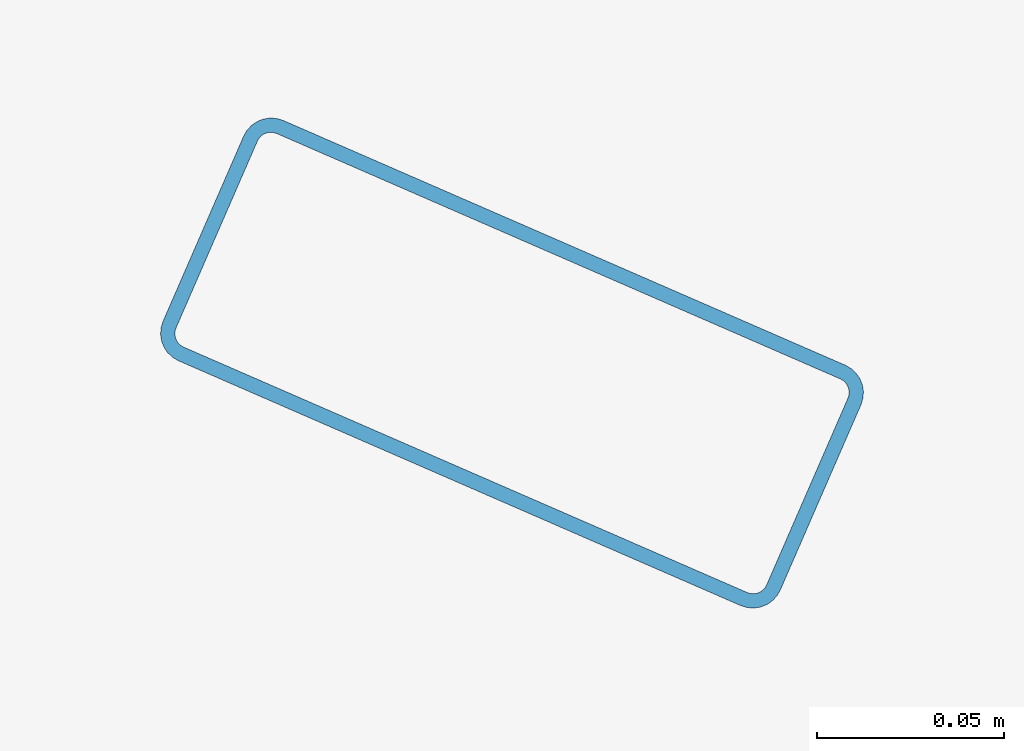
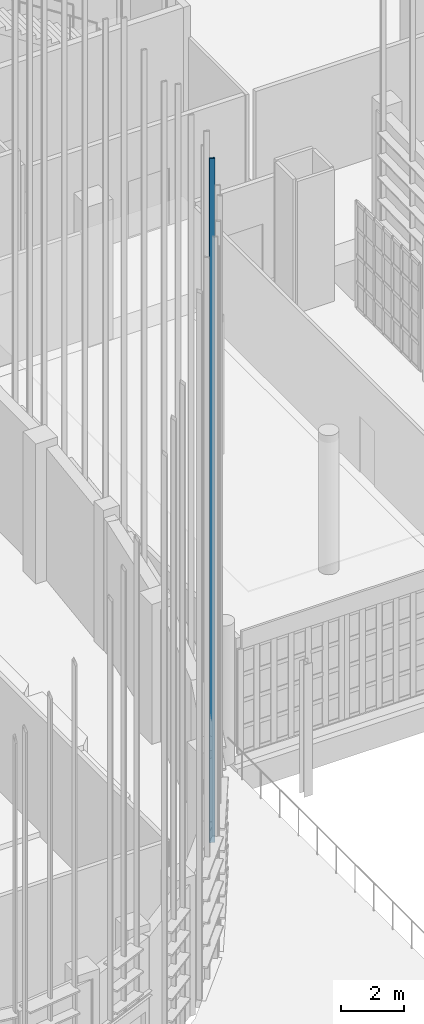
# One storey, part 102 of 372: 1 member.
"""IFC4 building model written with IfcOpenShell, lengths in metres."""

from ifc_helpers import new_model, si_unit, direction, frame, origin, origin_2d, place, context, subcontext, project, spatial, hollow_rectangle, extrude, material, material_profile, profile_set, type_object, element, save


model = new_model("IFC4")

# Units and contexts
model_context = context("Model", 3, precision=1e-05, world=origin(), true_north=direction((0.0, 1.0)))
body_context = subcontext(model_context, "Body", "Model", "MODEL_VIEW")
ifc_project = project(units=[si_unit("LENGTHUNIT", "METRE"), si_unit("AREAUNIT", "SQUARE_METRE"), si_unit("VOLUMEUNIT", "CUBIC_METRE"), si_unit("PLANEANGLEUNIT", "RADIAN"), si_unit("MASSUNIT", "GRAM", prefix="KILO")], contexts=[model_context])

# Site, building, storey
site_placement = place(None, origin())
site = spatial("IfcSite", under=ifc_project, at=site_placement, CompositionType="ELEMENT")
building_placement = place(site_placement, origin())
building = spatial("IfcBuilding", under=site, at=building_placement, Name="Kaelora Sail Theatre", CompositionType="ELEMENT")
storey_placement = place(building_placement, origin())
storey = spatial("IfcBuildingStorey", under=building, at=storey_placement, Name="L00", CompositionType="ELEMENT", Elevation=0.0)

# Member
ifc_material = material(Name="Anodised aluminium 6063-T6", Category="aluminium")
ifc_material_profile = material_profile(ifc_material, hollow_rectangle(XDim=0.070068359375, YDim=0.179931640625, WallThickness=0.00390625, InnerFilletRadius=0.00390625, OuterFilletRadius=0.008056640625, at=origin_2d()), Name="ALU-MULL 70x180x4")
ifc_profile_set = profile_set([ifc_material_profile], Name="Anodised aluminium 6063-T6")
member_type = type_object("IfcMemberType", Name="ARC-MEM-PST-160", PredefinedType="POST", material=ifc_profile_set)
member_placement = place(storey_placement, frame((55.60009765625, 34.982666015625, 0.0), z_axis=(0.0, 0.0, 1.0), x_axis=(-0.399229185776, -0.916851164162, 0.0)))
element("IfcMember", 1, at=member_placement, inside=storey, type_object=member_type, Name="Main Theatre Sail Drum solar louvre vertical support post C6-2", PredefinedType="POST", context=body_context, shape_type="SweptSolid", body=[
    extrude(hollow_rectangle(XDim=0.070068359375, YDim=0.179931640625, WallThickness=0.00390625, InnerFilletRadius=0.00390625, OuterFilletRadius=0.008056640625, at=origin_2d()), origin(), (0.0, 0.0, 1.0), 26.402099609375),
])

save(model, "model.ifc")
